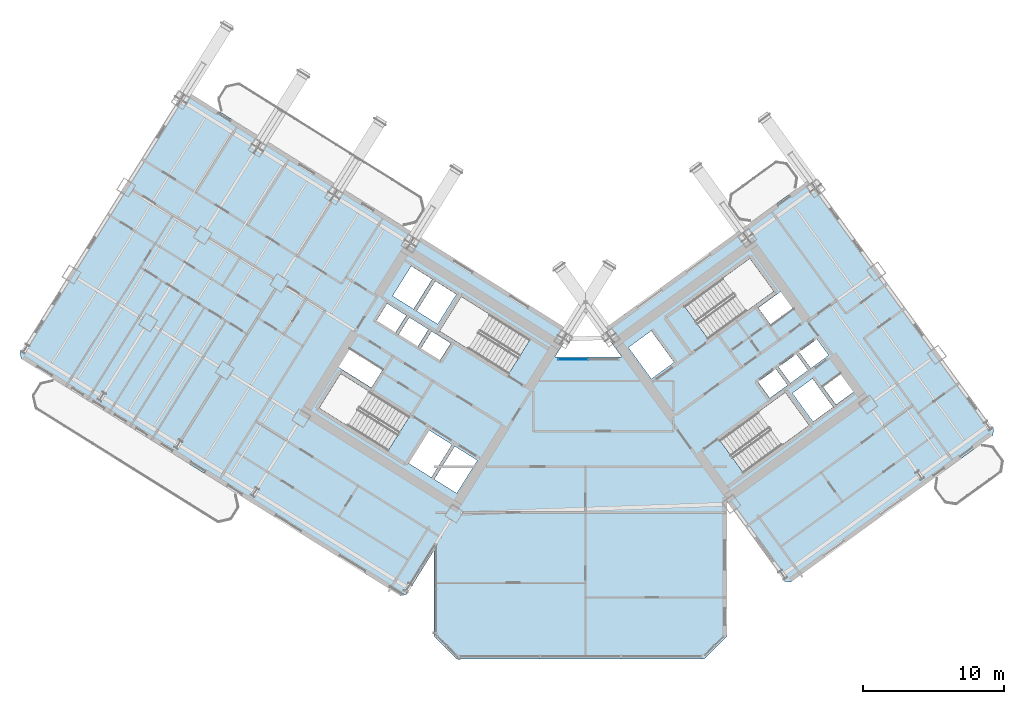
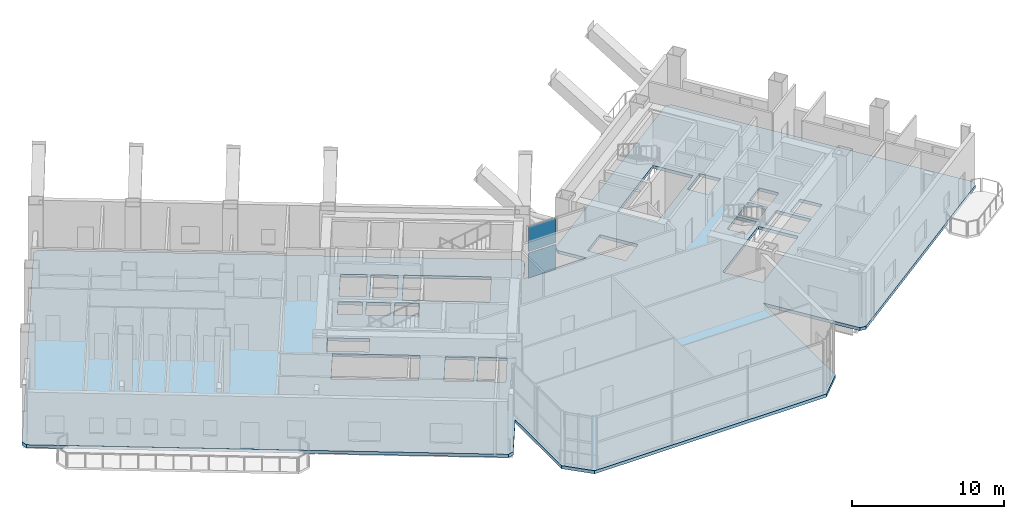
# One storey, part 14 of 30: 2 plates, 1 slab, 1 element without a shape of its own.
"""IFC4 building model written with IfcOpenShell, lengths in metres."""

import ifcopenshell
import ifcopenshell.guid

model = None  # the IFC model being written
_history = None  # IfcOwnerHistory: only IFC2X3 demands one
_inside = {}  # id of a spatial element -> (the spatial element, [elements in it])
_under = {}  # id of a project, library or spatial element -> (it, [spatial elements below it])
_declared = {}  # id of a project -> (the project, [libraries it declares])
_typed = {}  # id of a type object -> (the type object, [elements of that type])
_made_of = {}  # id of a material, layer set ... -> (it, [elements and type objects made of it])


def new_model(schema):
    """Start an empty IFC model of exactly this schema.

    Asked for "IFC4X3", IfcOpenShell would pick the latest addendum, in which some entities
    have other attributes; the version numbers below select the first issue.
    IFC2X3 requires an IfcOwnerHistory on every rooted entity: one is made here for all.
    """
    global model, _history
    if schema == "IFC4X3":
        model = ifcopenshell.file(schema_version=(4, 3, 0, 0))
    else:
        model = ifcopenshell.file(schema=schema)
    _inside.clear()
    _under.clear()
    _declared.clear()
    _typed.clear()
    _made_of.clear()
    _history = None
    if model.schema == "IFC2X3":
        org = make("IfcOrganization", Name="unknown")
        user = make(
            "IfcPersonAndOrganization",
            ThePerson=make("IfcPerson", FamilyName="unknown"),
            TheOrganization=org,
        )
        app = make(
            "IfcApplication",
            ApplicationDeveloper=org,
            Version="unknown",
            ApplicationFullName="unknown",
            ApplicationIdentifier="unknown",
        )
        _history = make(
            "IfcOwnerHistory",
            OwningUser=user,
            OwningApplication=app,
            ChangeAction="ADDED",
            CreationDate=0,
        )
    return model


def make(cls, **values):
    """One entity of the class cls with the attributes given. An attribute that is None is left unset."""
    return model.create_entity(
        cls, **{name: value for name, value in values.items() if value is not None}
    )


def rooted(cls, **values):
    """An entity with a GlobalId (a new one), such as an element, a storey or a relation."""
    return make(cls, GlobalId=ifcopenshell.guid.new(), OwnerHistory=_history, **values)


def si_unit(unit_type, name, prefix=None):
    """IfcSIUnit, for example si_unit("LENGTHUNIT", "METRE", prefix="MILLI")."""
    return make("IfcSIUnit", UnitType=unit_type, Prefix=prefix, Name=name)


def assignment(units):
    """IfcUnitAssignment: the units of a project."""
    return None if units is None else make("IfcUnitAssignment", Units=units)


def point(xyz):
    """IfcCartesianPoint."""
    return None if xyz is None else make("IfcCartesianPoint", Coordinates=xyz)


def direction(xyz):
    """IfcDirection."""
    return None if xyz is None else make("IfcDirection", DirectionRatios=xyz)


def frame(location, z_axis=None, x_axis=None):
    """IfcAxis2Placement3D, a coordinate frame: its origin and axes. An axis left out is left unset."""
    return make(
        "IfcAxis2Placement3D",
        Location=point(location),
        Axis=direction(z_axis),
        RefDirection=direction(x_axis),
    )


def frame_2d(location, x_axis=None):
    """IfcAxis2Placement2D, a coordinate frame in the plane: its origin and x axis."""
    return make(
        "IfcAxis2Placement2D", Location=point(location), RefDirection=direction(x_axis)
    )


def origin():
    """The frame at (0, 0, 0) with its axes left unset."""
    return frame((0.0, 0.0, 0.0))


def origin_2d():
    """The frame at (0, 0) in the plane with its x axis left unset."""
    return frame_2d((0.0, 0.0))


def place(relative_to, where):
    """IfcLocalPlacement: puts the frame where relative to a parent placement (None: the world)."""
    return make(
        "IfcLocalPlacement", PlacementRelTo=relative_to, RelativePlacement=where
    )


def context(
    kind, dimensions, precision=None, world=None, true_north=None, identifier=None
):
    """IfcGeometricRepresentationContext, for example the 3D "Model" context."""
    return make(
        "IfcGeometricRepresentationContext",
        ContextIdentifier=identifier,
        ContextType=kind,
        CoordinateSpaceDimension=dimensions,
        Precision=precision,
        WorldCoordinateSystem=world,
        TrueNorth=true_north,
    )


def subcontext(parent, identifier, kind, view, scale=None):
    """IfcGeometricRepresentationSubContext, for example "Body" below "Model"."""
    return make(
        "IfcGeometricRepresentationSubContext",
        ContextIdentifier=identifier,
        ContextType=kind,
        ParentContext=parent,
        TargetScale=scale,
        TargetView=view,
    )


def project(units=None, contexts=None):
    """IfcProject with its units and contexts."""
    return rooted(
        "IfcProject",
        Name="project",
        RepresentationContexts=contexts,
        UnitsInContext=assignment(units),
    )


def spatial(cls, under=None, at=None, **own):
    """A site, building, storey or space (cls), placed at a placement, below another one or the project."""
    s = rooted(cls, ObjectPlacement=at, **own)
    if under is not None:
        _under.setdefault(under.id(), (under, []))[1].append(s)
    return s


def polyline(points):
    """IfcPolyline through the points."""
    return make("IfcPolyline", Points=[point(p) for p in points])


def profile(cls, at=None, kind="AREA", **sizes):
    """A parametric profile (cls). Its sizes go by their IFC names, for example OverallWidth=200.0."""
    return make(cls, ProfileType=kind, Position=at, **sizes)


def rectangle(**sizes):
    """IfcRectangleProfileDef."""
    return profile("IfcRectangleProfileDef", **sizes)


def outline(outer, holes=None, kind="AREA"):
    """IfcArbitraryClosedProfileDef: a profile drawn as a closed curve; with holes, ...WithVoids."""
    if holes is None:
        return make("IfcArbitraryClosedProfileDef", ProfileType=kind, OuterCurve=outer)
    return make(
        "IfcArbitraryProfileDefWithVoids",
        ProfileType=kind,
        OuterCurve=outer,
        InnerCurves=holes,
    )


def extrude(swept, where, along, depth):
    """IfcExtrudedAreaSolid: the profile swept, set in the frame where, extruded along a direction by depth."""
    return make(
        "IfcExtrudedAreaSolid",
        SweptArea=swept,
        Position=where,
        ExtrudedDirection=direction(along),
        Depth=depth,
    )


def shape(context_of_items, identifier, shape_type, items):
    """IfcShapeRepresentation: the items that make up one representation, for example the "Body"."""
    return make(
        "IfcShapeRepresentation",
        ContextOfItems=context_of_items,
        RepresentationIdentifier=identifier,
        RepresentationType=shape_type,
        Items=items,
    )


def source(mapping_origin, context_of_items, identifier, shape_type, items):
    """IfcRepresentationMap: a shape defined once, which mapped items show again and again."""
    return make(
        "IfcRepresentationMap",
        MappingOrigin=mapping_origin,
        MappedRepresentation=shape(context_of_items, identifier, shape_type, items),
    )


def transform(
    local_origin,
    x_axis=None,
    y_axis=None,
    z_axis=None,
    scale=None,
    scale2=None,
    scale3=None,
    uniform=True,
):
    """IfcCartesianTransformationOperator3D, or its non-uniform kind. x_axis, y_axis, z_axis: its Axis1, 2, 3."""
    if uniform:
        return make(
            "IfcCartesianTransformationOperator3D",
            Axis1=direction(x_axis),
            Axis2=direction(y_axis),
            LocalOrigin=point(local_origin),
            Scale=scale,
            Axis3=direction(z_axis),
        )
    return make(
        "IfcCartesianTransformationOperator3DnonUniform",
        Axis1=direction(x_axis),
        Axis2=direction(y_axis),
        LocalOrigin=point(local_origin),
        Scale=scale,
        Axis3=direction(z_axis),
        Scale2=scale2,
        Scale3=scale3,
    )


def mapped(mapping_source, mapping_target):
    """IfcMappedItem: shows the shape of a source again, moved by a transform."""
    return make(
        "IfcMappedItem", MappingSource=mapping_source, MappingTarget=mapping_target
    )


def material(Name=None, Category=None):
    """IfcMaterial."""
    return make("IfcMaterial", Name=Name, Category=Category)


def layer(
    of_material, thickness, ventilated=None, Name=None, Category=None, Priority=None
):
    """IfcMaterialLayer: one layer of a wall or slab, of a material (None: an air gap)."""
    return make(
        "IfcMaterialLayer",
        Material=of_material,
        LayerThickness=thickness,
        IsVentilated=ventilated,
        Name=Name,
        Category=Category,
        Priority=Priority,
    )


def layer_set(layers, Name=None):
    """IfcMaterialLayerSet."""
    return make("IfcMaterialLayerSet", MaterialLayers=layers, LayerSetName=Name)


def made_of(thing, what):
    """Note that an element or type object is made of a material, layer set ...; save() writes the relation."""
    if what is not None:
        _made_of.setdefault(what.id(), (what, []))[1].append(thing)
    return thing


def type_object(cls, material=None, **own):
    """A type object (cls), such as IfcWallType, which elements share."""
    return made_of(rooted(cls, **own), material)


def element(
    cls,
    number,
    at=None,
    inside=None,
    cuts=None,
    type_object=None,
    material=None,
    context=None,
    identifier="Body",
    shape_type=None,
    held_by="IfcProductDefinitionShape",
    body=None,
    shapes=None,
    **own,
):
    """One element of the class cls, such as IfcWall. Its Tag is "e" and its number.

    at: its placement. inside: the storey or other place that contains it. cuts: it is an
    opening in that element (IfcRelVoidsElement). A single representation is given by context,
    identifier, shape_type and body (its items); several are given by shapes. held_by: the class
    of the entity that holds the representations. save() writes the other relations.
    """
    e = rooted(cls, Tag="e%d" % number, ObjectPlacement=at, **own)
    if body is not None:
        shapes = [shape(context, identifier, shape_type, body)]
    if shapes is not None:
        e.Representation = make(held_by, Representations=shapes)
    if inside is not None:
        _inside.setdefault(inside.id(), (inside, []))[1].append(e)
    if cuts is not None:
        rooted(
            "IfcRelVoidsElement", RelatingBuildingElement=cuts, RelatedOpeningElement=e
        )
    if type_object is not None:
        _typed.setdefault(type_object.id(), (type_object, []))[1].append(e)
    return made_of(e, material)


def aggregate(whole, parts):
    """IfcRelAggregates: a whole, such as a stair, and the parts it consists of."""
    return rooted("IfcRelAggregates", RelatingObject=whole, RelatedObjects=parts)


def save(model, path):
    """Write the relations noted so far, then the file.

    IfcRelAggregates (storeys below a building ...), IfcRelContainedInSpatialStructure (elements
    in a storey), IfcRelDefinesByType, IfcRelAssociatesMaterial and IfcRelDeclares: one each for
    every whole, place, type object, material and project.
    """
    for whole, parts in _under.values():
        aggregate(whole, parts)
    for where, things in _inside.values():
        rooted(
            "IfcRelContainedInSpatialStructure",
            RelatedElements=things,
            RelatingStructure=where,
        )
    for kind, things in _typed.values():
        rooted("IfcRelDefinesByType", RelatedObjects=things, RelatingType=kind)
    for what, things in _made_of.values():
        rooted("IfcRelAssociatesMaterial", RelatedObjects=things, RelatingMaterial=what)
    for by, libraries in _declared.values():
        rooted("IfcRelDeclares", RelatingContext=by, RelatedDefinitions=libraries)
    model.write(path)


model = new_model("IFC4")

# Units and contexts
model_context = context("Model", 3, precision=1e-05, world=origin(), true_north=direction((0.0, 1.0)))
body_context = subcontext(model_context, "Body", "Model", "MODEL_VIEW")
ifc_project = project(units=[si_unit("LENGTHUNIT", "METRE"), si_unit("AREAUNIT", "SQUARE_METRE"), si_unit("VOLUMEUNIT", "CUBIC_METRE"), si_unit("PLANEANGLEUNIT", "RADIAN"), si_unit("MASSUNIT", "GRAM", prefix="KILO")], contexts=[model_context])

# Site, building, storey
site_placement = place(None, origin())
site = spatial("IfcSite", under=ifc_project, at=site_placement, CompositionType="ELEMENT")
building_placement = place(site_placement, origin())
building = spatial("IfcBuilding", under=site, at=building_placement, Name="Tlacorven Tower", CompositionType="ELEMENT")
storey_placement = place(building_placement, frame((0.0, 0.0, 67.199951171875)))
storey = spatial("IfcBuildingStorey", under=building, at=storey_placement, Name="L17", CompositionType="ELEMENT", Elevation=67.199951171875)

# Slab
ifc_material_1 = material(Name="Concrete C40/50", Category="concrete")
ifc_layer_1 = layer(ifc_material_1, 0.25)
ifc_layer_set_1 = layer_set([ifc_layer_1], Name="Concrete C40/50")
slab_type = type_object("IfcSlabType", Name="SL-TWR-250", PredefinedType="FLOOR", material=ifc_layer_set_1)
slab_placement = place(storey_placement, frame((0.0, 0.0, -0.25)))
element("IfcSlab", 1, at=slab_placement, inside=storey, type_object=slab_type, Name="L17 Boomerang Tower Floor Slab", PredefinedType="FLOOR", context=body_context, shape_type="SweptSolid", body=[
    extrude(outline(polyline([(52.39990234375, 3.39990234375), (50.800048828125, 1.800048828125), (33.199951171875, 1.800048828125), (31.60009765625, 3.39990234375), (31.60009765625, 9.470703125), (29.652587890625, 6.35400390625), (29.2392578125, 6.258544921875), (2.339111328125, 23.067626953125), (2.24365234375, 23.481201171875), (13.75341796875, 41.900634765625), (14.1669921875, 41.99609375), (41.06689453125, 25.18701171875), (41.162353515625, 24.773681640625), (40.178955078125, 23.199951171875), (44.932373046875, 23.199951171875), (43.723876953125, 24.86328125), (43.790283203125, 25.2822265625), (58.1259765625, 35.69775390625), (58.545166015625, 35.63134765625), (71.311767578125, 18.0595703125), (71.245361328125, 17.640380859375), (56.90966796875, 7.224853515625), (56.49072265625, 7.291259765625), (52.39990234375, 12.921630859375), (52.39990234375, 3.39990234375)]), holes=[polyline([(29.865478515625, 18.979736328125), (24.9892578125, 22.02685546875), (23.463134765625, 19.58447265625), (28.33935546875, 16.537353515625), (29.865478515625, 18.979736328125)]), polyline([(38.4169921875, 24.4375), (33.540771484375, 27.484375), (32.0146484375, 25.0419921875), (36.890869140625, 21.9951171875), (38.4169921875, 24.4375)]), polyline([(51.05908203125, 24.481689453125), (55.7109375, 27.861572265625), (54.01806640625, 30.19140625), (49.3662109375, 26.811767578125), (51.05908203125, 24.481689453125)]), polyline([(53.56298828125, 14.978759765625), (58.21484375, 18.3583984375), (56.52197265625, 20.6884765625), (51.8701171875, 17.30859375), (53.56298828125, 14.978759765625)]), polyline([(34.682373046875, 15.87548828125), (33.088134765625, 16.871826171875), (31.62548828125, 14.531005859375), (33.2197265625, 13.534912109375), (34.682373046875, 15.87548828125)]), polyline([(32.884521484375, 16.9990234375), (31.2392578125, 18.02685546875), (29.77685546875, 15.686279296875), (31.421875, 14.658203125), (32.884521484375, 16.9990234375)]), polyline([(47.0234375, 21.648681640625), (48.6416015625, 22.82421875), (47.019287109375, 25.05712890625), (45.401123046875, 23.881591796875), (47.0234375, 21.648681640625)]), polyline([(33.197265625, 27.65185546875), (31.704833984375, 28.58447265625), (30.3798828125, 26.46435546875), (31.87255859375, 25.53173828125), (33.197265625, 27.65185546875)]), polyline([(31.484375, 28.722412109375), (29.99169921875, 29.655029296875), (28.6669921875, 27.534912109375), (30.159423828125, 26.602294921875), (31.484375, 28.722412109375)]), polyline([(32.794921875, 24.17724609375), (31.43798828125, 25.025146484375), (30.685546875, 23.82080078125), (32.042236328125, 22.972900390625), (32.794921875, 24.17724609375)]), polyline([(31.217529296875, 25.162841796875), (29.860595703125, 26.0107421875), (29.108154296875, 24.806396484375), (30.465087890625, 23.958740234375), (31.217529296875, 25.162841796875)]), polyline([(29.64013671875, 26.1484375), (28.283203125, 26.996337890625), (27.53076171875, 25.792236328125), (28.8876953125, 24.9443359375), (29.64013671875, 26.1484375)]), polyline([(55.427734375, 20.288818359375), (56.68994140625, 21.205810546875), (55.855224609375, 22.354736328125), (54.59326171875, 21.437744140625), (55.427734375, 20.288818359375)]), polyline([(56.884033203125, 21.346923828125), (58.146240234375, 22.263916015625), (57.3115234375, 23.41259765625), (56.04931640625, 22.495849609375), (56.884033203125, 21.346923828125)]), polyline([(58.34033203125, 22.405029296875), (59.602294921875, 23.322021484375), (58.767578125, 24.470703125), (57.505615234375, 23.5537109375), (58.34033203125, 22.405029296875)]), polyline([(58.498779296875, 18.614013671875), (59.922607421875, 19.648681640625), (58.453125, 21.671142578125), (57.029296875, 20.63671875), (58.498779296875, 18.614013671875)]), polyline([(27.96142578125, 22.2919921875), (25.603759765625, 23.76513671875), (24.80908203125, 22.4931640625), (27.16650390625, 21.02001953125), (27.96142578125, 22.2919921875)]), polyline([(55.490478515625, 25.4765625), (57.092529296875, 26.640380859375), (56.210693359375, 27.85400390625), (54.60888671875, 26.690185546875), (55.490478515625, 25.4765625)]), polyline([(60.12109375, 19.817626953125), (61.38330078125, 20.734619140625), (60.45458984375, 22.012939453125), (59.192626953125, 21.095947265625), (60.12109375, 19.817626953125)])]), origin(), (0.0, 0.0, 1.0), 0.25),
])

# Curtain wall, plates
ifc_material_2 = material(Name="Dark solar low-E double glazing in aluminium frame", Category="aluminium")
curtain_wall_type = type_object("IfcCurtainWallType", Name="CW-TWR-LOW", PredefinedType="USERDEFINED", material=ifc_material_2)
curtain_wall_placement = place(storey_placement, origin())
curtain_wall = element("IfcCurtainWall", 2, at=curtain_wall_placement, inside=storey, type_object=curtain_wall_type, Name="L17 CW-TWR-LOW Curtain Wall 98", ObjectType="UNITISED CURTAIN WALL", PredefinedType="USERDEFINED")
ifc_material_3 = material(Name="Dark solar double low-E glazing", Category="glass")
ifc_layer_2 = layer(ifc_material_3, 0.031982421875)
ifc_layer_set_2 = layer_set([ifc_layer_2], Name="Dark solar double low-E glazing")
plate_type = type_object("IfcPlateType", Name="CWP-02", PredefinedType="CURTAIN_PANEL", material=ifc_layer_set_2)
shared_shape = source(origin(), body_context, "Body", "SweptSolid", [
    extrude(rectangle(XDim=2.110595703125, YDim=0.031982421875, at=origin_2d()), origin(), (0.0, 0.0, 1.0), 1.988037109375),
])
plate_1_placement = place(storey_placement, frame((41.47802734375, 23.0400390625, 0.06103515625), z_axis=(0.0, 0.0, 1.0), x_axis=(1.0, 0.0, 0.0)))
plate_1 = element("IfcPlate", 3, at=plate_1_placement, type_object=plate_type, Name="CW-L17-098 Glazing Panel 1", PredefinedType="CURTAIN_PANEL", context=body_context, shape_type="MappedRepresentation", body=[
    mapped(shared_shape, transform((0.0, 0.0, 0.0), scale=1.0)),
])
plate_2_placement = place(storey_placement, frame((41.47802734375, 23.0400390625, 2.1708984375), z_axis=(0.0, 0.0, 1.0), x_axis=(1.0, 0.0, 0.0)))
plate_2 = element("IfcPlate", 4, at=plate_2_placement, type_object=plate_type, Name="CW-L17-098 Glazing Panel 2", PredefinedType="CURTAIN_PANEL", context=body_context, shape_type="MappedRepresentation", body=[
    mapped(shared_shape, transform((0.0, 0.0, 0.0), scale=1.0)),
])
aggregate(curtain_wall, [plate_1, plate_2])

save(model, "model.ifc")
